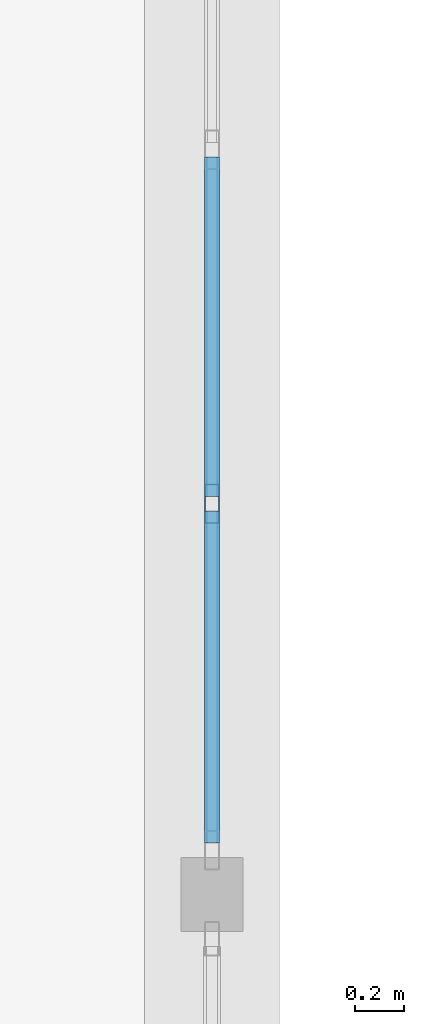
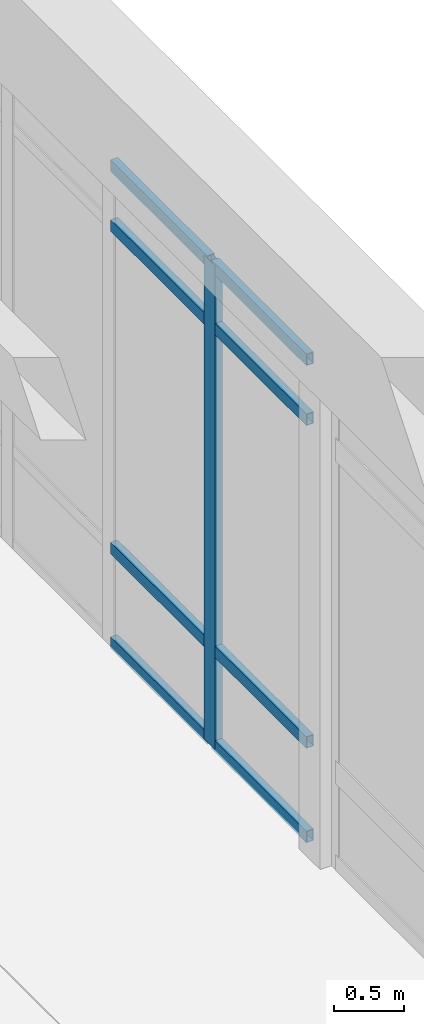
# One storey, part 79 of 138: 9 members, 1 element without a shape of its own.
"""IFC4 building model written with IfcOpenShell, lengths in metres."""

from ifc_helpers import new_model, si_unit, direction, frame, origin, origin_2d, place, context, subcontext, project, spatial, hollow_rectangle, extrude, material, layer, layer_set, material_profile, profile_set, type_object, element, aggregate, save


model = new_model("IFC4")

# Units and contexts
model_context = context("Model", 3, precision=1e-05, world=origin(), true_north=direction((0.0, 1.0)))
body_context = subcontext(model_context, "Body", "Model", "MODEL_VIEW")
ifc_project = project(units=[si_unit("LENGTHUNIT", "METRE"), si_unit("AREAUNIT", "SQUARE_METRE"), si_unit("VOLUMEUNIT", "CUBIC_METRE"), si_unit("PLANEANGLEUNIT", "RADIAN"), si_unit("MASSUNIT", "GRAM", prefix="KILO")], contexts=[model_context])

# Site, building, storey
site_placement = place(None, origin())
site = spatial("IfcSite", under=ifc_project, at=site_placement, CompositionType="ELEMENT")
building_placement = place(site_placement, origin())
building = spatial("IfcBuilding", under=site, at=building_placement, Name="Fikremerkos Civic Library", CompositionType="ELEMENT")
storey_placement = place(building_placement, origin())
storey = spatial("IfcBuildingStorey", under=building, at=storey_placement, Name="L00", CompositionType="ELEMENT", Elevation=0.0)

# Curtain wall, members
ifc_material = material(Name="Anodized aluminium Frame", Category="aluminium")
ifc_layer = layer(ifc_material, 0.159912109375, Name="Anodized aluminium Frame")
ifc_layer_set = layer_set([ifc_layer], Name="Anodized aluminium Frame")
curtain_wall_type = type_object("IfcCurtainWallType", Name="Unitised curtain wall CW-06 4200x4100", PredefinedType="USERDEFINED", material=ifc_layer_set)
curtain_wall_placement = place(storey_placement, origin())
curtain_wall = element("IfcCurtainWall", 1, at=curtain_wall_placement, inside=storey, type_object=curtain_wall_type, Name="Unitised curtain wall CW-06 L00 #60", ObjectType="UNITISED CURTAIN WALL", PredefinedType="USERDEFINED")
ifc_material_profile_1 = material_profile(ifc_material, hollow_rectangle(XDim=0.06005859375, YDim=0.159912109375, WallThickness=0.00390625, at=origin_2d()), Name="ALU 160x60x4")
ifc_profile_set_1 = profile_set([ifc_material_profile_1], Name="Anodized aluminium Frame")
member_type_1 = type_object("IfcMemberType", Name="Curtain mullion CWM-02 ALU 160x60x4", PredefinedType="MULLION", material=ifc_profile_set_1)
member_1_placement = place(storey_placement, frame((134.39990234375, 84.987060546875, 0.0), z_axis=(0.0, 0.0, 1.0), x_axis=(1.0, 0.0, 0.0)))
member_1 = element("IfcMember", 2, at=member_1_placement, type_object=member_type_1, Name="CW-06 mullion 4", PredefinedType="MULLION", context=body_context, shape_type="SweptSolid", body=[
    extrude(hollow_rectangle(XDim=0.06005859375, YDim=0.159912109375, WallThickness=0.00390625, at=origin_2d()), origin(), (0.0, 0.0, 1.0), 4.199951171875),
])
ifc_material_profile_2 = material_profile(ifc_material, hollow_rectangle(XDim=0.06005859375, YDim=0.10009765625, WallThickness=0.00390625, at=origin_2d()), Name="ALU 100x60x4")
ifc_profile_set_2 = profile_set([ifc_material_profile_2], Name="Anodized aluminium Frame")
member_type_2 = type_object("IfcMemberType", Name="Curtain transom CWT-03 ALU 100x60x4", PredefinedType="USERDEFINED", material=ifc_profile_set_2)
member_2_placement = place(storey_placement, frame((134.39990234375, 86.39501953125, 0.030029296875), z_axis=(0.0, -1.0, 0.0), x_axis=(1.0, 0.0, 0.0)))
member_2 = element("IfcMember", 3, at=member_2_placement, type_object=member_type_2, Name="CW-06 transom 3.1", ObjectType="TRANSOM", PredefinedType="USERDEFINED", context=body_context, shape_type="SweptSolid", body=[
    extrude(hollow_rectangle(XDim=0.06005859375, YDim=0.10009765625, WallThickness=0.00390625, at=origin_2d()), origin(), (0.0, 0.0, 1.0), 1.3779296875),
])
member_3_placement = place(storey_placement, frame((134.39990234375, 86.39501953125, 0.85009765625), z_axis=(0.0, -1.0, 0.0), x_axis=(1.0, 0.0, 0.0)))
member_3 = element("IfcMember", 4, at=member_3_placement, type_object=member_type_2, Name="CW-06 transom 3.2", ObjectType="TRANSOM", PredefinedType="USERDEFINED", context=body_context, shape_type="SweptSolid", body=[
    extrude(hollow_rectangle(XDim=0.06005859375, YDim=0.10009765625, WallThickness=0.00390625, at=origin_2d()), origin(), (0.0, 0.0, 1.0), 1.3779296875),
])
member_4_placement = place(storey_placement, frame((134.39990234375, 86.39501953125, 3.64990234375), z_axis=(0.0, -1.0, 0.0), x_axis=(1.0, 0.0, 0.0)))
member_4 = element("IfcMember", 5, at=member_4_placement, type_object=member_type_2, Name="CW-06 transom 3.3", ObjectType="TRANSOM", PredefinedType="USERDEFINED", context=body_context, shape_type="SweptSolid", body=[
    extrude(hollow_rectangle(XDim=0.06005859375, YDim=0.10009765625, WallThickness=0.00390625, at=origin_2d()), origin(), (0.0, 0.0, 1.0), 1.3779296875),
])
member_5_placement = place(storey_placement, frame((134.39990234375, 86.39501953125, 4.169921875), z_axis=(0.0, -1.0, 0.0), x_axis=(1.0, 0.0, 0.0)))
member_5 = element("IfcMember", 6, at=member_5_placement, type_object=member_type_2, Name="CW-06 transom 3.4", ObjectType="TRANSOM", PredefinedType="USERDEFINED", context=body_context, shape_type="SweptSolid", body=[
    extrude(hollow_rectangle(XDim=0.06005859375, YDim=0.10009765625, WallThickness=0.00390625, at=origin_2d()), origin(), (0.0, 0.0, 1.0), 1.3779296875),
])
member_6_placement = place(storey_placement, frame((134.39990234375, 84.957275390625, 0.030029296875), z_axis=(0.0, -1.0, 0.0), x_axis=(1.0, 0.0, 0.0)))
member_6 = element("IfcMember", 7, at=member_6_placement, type_object=member_type_2, Name="CW-06 transom 4.1", ObjectType="TRANSOM", PredefinedType="USERDEFINED", context=body_context, shape_type="SweptSolid", body=[
    extrude(hollow_rectangle(XDim=0.06005859375, YDim=0.10009765625, WallThickness=0.00390625, at=origin_2d()), origin(), (0.0, 0.0, 1.0), 1.347900390625),
])
member_7_placement = place(storey_placement, frame((134.39990234375, 84.957275390625, 0.85009765625), z_axis=(0.0, -1.0, 0.0), x_axis=(1.0, 0.0, 0.0)))
member_7 = element("IfcMember", 8, at=member_7_placement, type_object=member_type_2, Name="CW-06 transom 4.2", ObjectType="TRANSOM", PredefinedType="USERDEFINED", context=body_context, shape_type="SweptSolid", body=[
    extrude(hollow_rectangle(XDim=0.06005859375, YDim=0.10009765625, WallThickness=0.00390625, at=origin_2d()), origin(), (0.0, 0.0, 1.0), 1.347900390625),
])
member_8_placement = place(storey_placement, frame((134.39990234375, 84.957275390625, 3.64990234375), z_axis=(0.0, -1.0, 0.0), x_axis=(1.0, 0.0, 0.0)))
member_8 = element("IfcMember", 9, at=member_8_placement, type_object=member_type_2, Name="CW-06 transom 4.3", ObjectType="TRANSOM", PredefinedType="USERDEFINED", context=body_context, shape_type="SweptSolid", body=[
    extrude(hollow_rectangle(XDim=0.06005859375, YDim=0.10009765625, WallThickness=0.00390625, at=origin_2d()), origin(), (0.0, 0.0, 1.0), 1.347900390625),
])
member_9_placement = place(storey_placement, frame((134.39990234375, 84.957275390625, 4.169921875), z_axis=(0.0, -1.0, 0.0), x_axis=(1.0, 0.0, 0.0)))
member_9 = element("IfcMember", 10, at=member_9_placement, type_object=member_type_2, Name="CW-06 transom 4.4", ObjectType="TRANSOM", PredefinedType="USERDEFINED", context=body_context, shape_type="SweptSolid", body=[
    extrude(hollow_rectangle(XDim=0.06005859375, YDim=0.10009765625, WallThickness=0.00390625, at=origin_2d()), origin(), (0.0, 0.0, 1.0), 1.347900390625),
])
aggregate(curtain_wall, [member_1, member_2, member_3, member_4, member_5, member_6, member_7, member_8, member_9])

save(model, "model.ifc")
